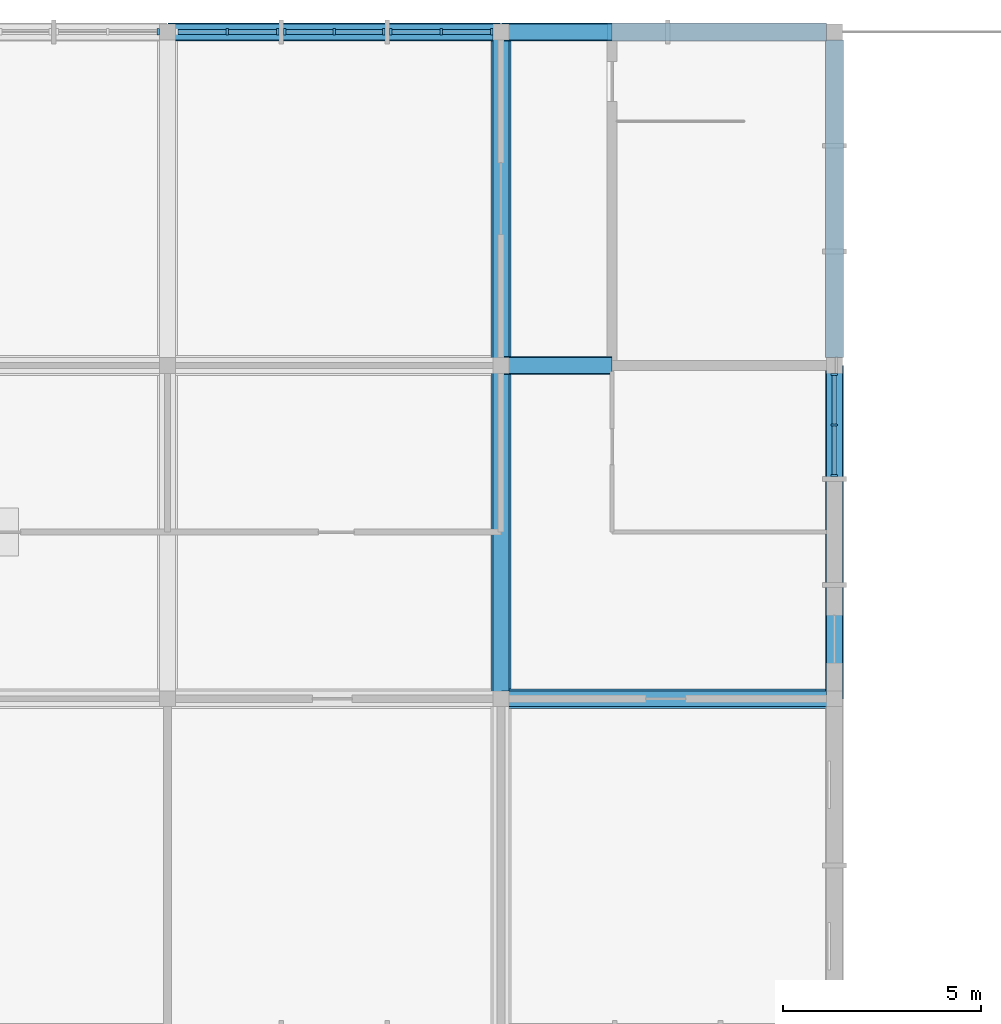
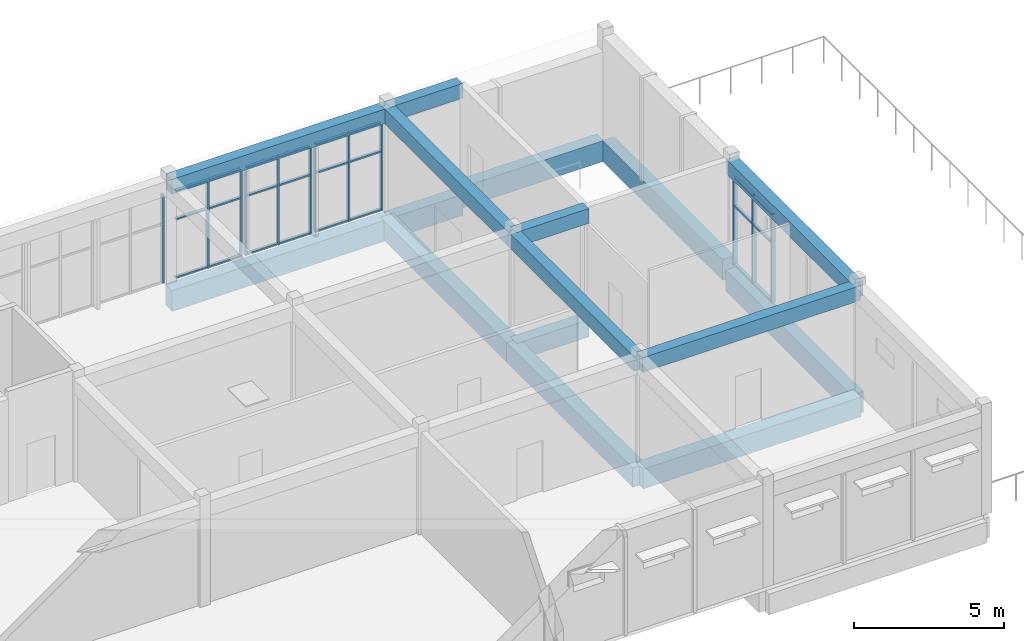
# One storey, part 7 of 15: 36 members, 16 beams, 5 elements without a shape of their own.
"""IFC4 building model written with IfcOpenShell, lengths in metres."""

from ifc_helpers import new_model, si_unit, direction, frame, origin, origin_2d, place, context, subcontext, project, spatial, rectangle, extrude, material, material_profile, profile_set, type_object, element, aggregate, save


model = new_model("IFC4")

# Units and contexts
model_context = context("Model", 3, precision=1e-05, world=origin(), true_north=direction((0.0, 1.0)))
body_context = subcontext(model_context, "Body", "Model", "MODEL_VIEW")
ifc_project = project(units=[si_unit("LENGTHUNIT", "METRE"), si_unit("AREAUNIT", "SQUARE_METRE"), si_unit("VOLUMEUNIT", "CUBIC_METRE"), si_unit("PLANEANGLEUNIT", "RADIAN"), si_unit("MASSUNIT", "GRAM", prefix="KILO")], contexts=[model_context])

# Site, building, storey
site_placement = place(None, origin())
site = spatial("IfcSite", under=ifc_project, at=site_placement, CompositionType="ELEMENT")
building_placement = place(site_placement, origin())
building = spatial("IfcBuilding", under=site, at=building_placement, Name="Fescue Hill Polytechnic", CompositionType="ELEMENT")
storey_placement = place(building_placement, frame((0.0, 0.0, 31.5)))
storey = spatial("IfcBuildingStorey", under=building, at=storey_placement, Name="L07", CompositionType="ELEMENT", Elevation=31.5)

# Beams
ifc_material_1 = material(Name="Concrete 35 MPa", Category="concrete")
ifc_material_profile_1 = material_profile(ifc_material_1, rectangle(XDim=0.39990234375, YDim=0.60009765625, at=origin_2d()), Name="RC 400x600")
ifc_profile_set_1 = profile_set([ifc_material_profile_1], Name="Concrete 35 MPa")
beam_type_1 = type_object("IfcBeamType", Name="Beam RC 400x600", PredefinedType="BEAM", material=ifc_profile_set_1)
beam_1_placement = place(storey_placement, frame((25.2099609375, 134.39990234375, 3.89990234375), z_axis=(1.0, 0.0, 0.0), x_axis=(0.0, 1.0, 0.0)))
element("IfcBeam", 1, at=beam_1_placement, inside=storey, type_object=beam_type_1, Name="BR-L07-0060", PredefinedType="BEAM", context=body_context, shape_type="SweptSolid", body=[
    extrude(rectangle(XDim=0.39990234375, YDim=0.60009765625, at=origin_2d()), origin(), (0.0, 0.0, 1.0), 8.380126953125),
])
for number, where, z_axis, x_axis, name in (
    (2, (33.60009765625, 117.60009765625, 3.89990234375), (0.0, 1.0, 0.0), (-1.0, 0.0, 0.0), "BR-L07-0062"),
    (3, (33.60009765625, 126.0, 3.89990234375), (0.0, 1.0, 0.0), (-1.0, 0.0, 0.0), "BR-L07-0063"),
):
    element("IfcBeam", number, at=place(storey_placement, frame(where, z_axis=z_axis, x_axis=x_axis)), inside=storey, type_object=beam_type_1, Name=name, PredefinedType="BEAM", context=body_context, shape_type="SweptSolid", body=[
        extrude(rectangle(XDim=0.39990234375, YDim=0.60009765625, at=origin_2d()), origin(), (0.0, 0.0, 1.0), 8.39990234375),
    ])
beam_2_placement = place(storey_placement, frame((33.610107421875, 117.60009765625, 3.89990234375), z_axis=(1.0, 0.0, 0.0), x_axis=(0.0, 1.0, 0.0)))
element("IfcBeam", 4, at=beam_2_placement, inside=storey, type_object=beam_type_1, Name="BR-L07-0065", PredefinedType="BEAM", context=body_context, shape_type="SweptSolid", body=[
    extrude(rectangle(XDim=0.39990234375, YDim=0.60009765625, at=origin_2d()), origin(), (0.0, 0.0, 1.0), 8.3798828125),
])
for number, where, z_axis, x_axis, name in (
    (5, (33.610107421875, 126.0, 3.89990234375), (1.0, 0.0, 0.0), (0.0, 1.0, 0.0), "BR-L07-0066"),
    (6, (33.610107421875, 134.39990234375, 3.89990234375), (1.0, 0.0, 0.0), (0.0, 1.0, 0.0), "BR-L07-0067"),
):
    element("IfcBeam", number, at=place(storey_placement, frame(where, z_axis=z_axis, x_axis=x_axis)), inside=storey, type_object=beam_type_1, Name=name, PredefinedType="BEAM", context=body_context, shape_type="SweptSolid", body=[
        extrude(rectangle(XDim=0.39990234375, YDim=0.60009765625, at=origin_2d()), origin(), (0.0, 0.0, 1.0), 2.789794921875),
    ])
beam_3_placement = place(storey_placement, frame((42.0, 117.60009765625, 3.89990234375), z_axis=(0.0, 1.0, 0.0), x_axis=(-1.0, 0.0, 0.0)))
element("IfcBeam", 7, at=beam_3_placement, inside=storey, type_object=beam_type_1, Name="BR-L07-0069", PredefinedType="BEAM", context=body_context, shape_type="SweptSolid", body=[
    extrude(rectangle(XDim=0.39990234375, YDim=0.60009765625, at=origin_2d()), origin(), (0.0, 0.0, 1.0), 8.39990234375),
])
ifc_material_profile_2 = material_profile(ifc_material_1, rectangle(XDim=0.449951171875, YDim=0.699951171875, at=origin_2d()), Name="RC 450x700")
ifc_profile_set_2 = profile_set([ifc_material_profile_2], Name="Concrete 35 MPa")
beam_type_2 = type_object("IfcBeamType", Name="Beam RC 450x700", PredefinedType="BEAM", material=ifc_profile_set_2)
beam_4_placement = place(storey_placement, frame((33.610107421875, 126.0, -0.64990234375), z_axis=(1.0, 0.0, 0.0), x_axis=(0.0, 1.0, 0.0)))
element("IfcBeam", 8, at=beam_4_placement, inside=storey, type_object=beam_type_2, Name="BM-L07-0066", PredefinedType="BEAM", context=body_context, shape_type="SweptSolid", body=[
    extrude(rectangle(XDim=0.449951171875, YDim=0.699951171875, at=origin_2d()), origin(), (0.0, 0.0, 1.0), 2.789794921875),
])
ifc_material_profile_3 = material_profile(ifc_material_1, rectangle(XDim=0.449951171875, YDim=0.85009765625, at=origin_2d()), Name="RC 450x850")
ifc_profile_set_3 = profile_set([ifc_material_profile_3], Name="Concrete 35 MPa")
beam_type_3 = type_object("IfcBeamType", Name="Beam RC 450x850", PredefinedType="BEAM", material=ifc_profile_set_3)
beam_5_placement = place(storey_placement, frame((25.2099609375, 134.39990234375, -0.72509765625), z_axis=(1.0, 0.0, 0.0), x_axis=(0.0, 1.0, 0.0)))
element("IfcBeam", 9, at=beam_5_placement, inside=storey, type_object=beam_type_3, Name="BM-L07-0060", PredefinedType="BEAM", context=body_context, shape_type="SweptSolid", body=[
    extrude(rectangle(XDim=0.449951171875, YDim=0.85009765625, at=origin_2d()), origin(), (0.0, 0.0, 1.0), 8.380126953125),
])
beam_6_placement = place(storey_placement, frame((33.610107421875, 134.39990234375, -0.72509765625), z_axis=(1.0, 0.0, 0.0), x_axis=(0.0, 1.0, 0.0)))
element("IfcBeam", 10, at=beam_6_placement, inside=storey, type_object=beam_type_3, Name="BM-L07-0067", PredefinedType="BEAM", context=body_context, shape_type="SweptSolid", body=[
    extrude(rectangle(XDim=0.449951171875, YDim=0.85009765625, at=origin_2d()), origin(), (0.0, 0.0, 1.0), 2.789794921875),
])
beam_7_placement = place(storey_placement, frame((42.0, 117.60009765625, -0.72509765625), z_axis=(0.0, 1.0, 0.0), x_axis=(-1.0, 0.0, 0.0)))
element("IfcBeam", 11, at=beam_7_placement, inside=storey, type_object=beam_type_3, Name="BM-L07-0069", PredefinedType="BEAM", context=body_context, shape_type="SweptSolid", body=[
    extrude(rectangle(XDim=0.449951171875, YDim=0.85009765625, at=origin_2d()), origin(), (0.0, 0.0, 1.0), 8.39990234375),
])
beam_8_placement = place(storey_placement, frame((36.27490234375, 134.39990234375, -0.425048828125), z_axis=(1.0, 0.0, 0.0), x_axis=(0.0, 1.0, 0.0)))
element("IfcBeam", 12, at=beam_8_placement, inside=storey, type_object=beam_type_3, Name="BM-L07-0075", PredefinedType="BEAM", context=body_context, shape_type="SweptSolid", body=[
    extrude(rectangle(XDim=0.449951171875, YDim=0.85009765625, at=origin_2d()), origin(), (0.0, 0.0, 1.0), 5.525146484375),
])
beam_9_placement = place(storey_placement, frame((42.0, 126.199951171875, -0.425048828125), z_axis=(0.0, 1.0, 0.0), x_axis=(-1.0, 0.0, 0.0)))
element("IfcBeam", 13, at=beam_9_placement, inside=storey, type_object=beam_type_3, Name="BM-L07-0076", PredefinedType="BEAM", context=body_context, shape_type="SweptSolid", body=[
    extrude(rectangle(XDim=0.449951171875, YDim=0.85009765625, at=origin_2d()), origin(), (0.0, 0.0, 1.0), 8.0),
])
ifc_material_profile_4 = material_profile(ifc_material_1, rectangle(XDim=0.5, YDim=0.800048828125, at=origin_2d()), Name="RC 500x800")
ifc_profile_set_4 = profile_set([ifc_material_profile_4], Name="Concrete 35 MPa")
beam_type_4 = type_object("IfcBeamType", Name="Beam RC 500x800", PredefinedType="BEAM", material=ifc_profile_set_4)
for number, where, z_axis, x_axis, name in (
    (14, (33.60009765625, 117.60009765625, -0.699951171875), (0.0, 1.0, 0.0), (-1.0, 0.0, 0.0), "BM-L07-0062"),
    (15, (33.60009765625, 126.0, -0.699951171875), (0.0, 1.0, 0.0), (-1.0, 0.0, 0.0), "BM-L07-0063"),
):
    element("IfcBeam", number, at=place(storey_placement, frame(where, z_axis=z_axis, x_axis=x_axis)), inside=storey, type_object=beam_type_4, Name=name, PredefinedType="BEAM", context=body_context, shape_type="SweptSolid", body=[
        extrude(rectangle(XDim=0.5, YDim=0.800048828125, at=origin_2d()), origin(), (0.0, 0.0, 1.0), 8.39990234375),
    ])
beam_10_placement = place(storey_placement, frame((33.610107421875, 117.60009765625, -0.699951171875), z_axis=(1.0, 0.0, 0.0), x_axis=(0.0, 1.0, 0.0)))
element("IfcBeam", 16, at=beam_10_placement, inside=storey, type_object=beam_type_4, Name="BM-L07-0065", PredefinedType="BEAM", context=body_context, shape_type="SweptSolid", body=[
    extrude(rectangle(XDim=0.5, YDim=0.800048828125, at=origin_2d()), origin(), (0.0, 0.0, 1.0), 8.3798828125),
])

# Curtain wall, members
ifc_material_2 = material(Name="Glass", Category="glass")
curtain_wall_type = type_object("IfcCurtainWallType", Name="Curtain wall structural glazing", PredefinedType="NOTDEFINED", material=ifc_material_2)
curtain_wall_1_placement = place(storey_placement, origin())
curtain_wall_1 = element("IfcCurtainWall", 17, at=curtain_wall_1_placement, inside=storey, type_object=curtain_wall_type, Name="CW-L07-V5-1", PredefinedType="NOTDEFINED")
ifc_material_3 = material(Name="Powder-coated aluminium", Category="aluminium")
ifc_material_profile_5 = material_profile(ifc_material_3, rectangle(XDim=0.159912109375, YDim=0.06005859375, at=origin_2d()), Name="Mullion aluminium 60x160")
ifc_profile_set_5 = profile_set([ifc_material_profile_5], Name="Powder-coated aluminium")
member_type_1 = type_object("IfcMemberType", Name="Mullion aluminium 60x160", PredefinedType="MULLION", material=ifc_profile_set_5)
member_1_placement = place(storey_placement, frame((33.3701171875, 134.39990234375, 0.0), z_axis=(0.0, 0.0, 1.0), x_axis=(0.0, -1.0, 0.0)))
member_1 = element("IfcMember", 18, at=member_1_placement, type_object=member_type_1, Name="CW106 mullion 1", PredefinedType="MULLION", context=body_context, shape_type="SweptSolid", body=[
    extrude(rectangle(XDim=0.159912109375, YDim=0.06005859375, at=origin_2d()), origin(), (0.0, 0.0, 1.0), 3.580078125),
])
member_2_placement = place(storey_placement, frame((32.0966796875, 134.39990234375, 0.0), z_axis=(0.0, 0.0, 1.0), x_axis=(0.0, -1.0, 0.0)))
member_2 = element("IfcMember", 19, at=member_2_placement, type_object=member_type_1, Name="CW106 mullion 2", PredefinedType="MULLION", context=body_context, shape_type="SweptSolid", body=[
    extrude(rectangle(XDim=0.159912109375, YDim=0.06005859375, at=origin_2d()), origin(), (0.0, 0.0, 1.0), 3.580078125),
])
member_3_placement = place(storey_placement, frame((30.8232421875, 134.39990234375, 0.0), z_axis=(0.0, 0.0, 1.0), x_axis=(0.0, -1.0, 0.0)))
member_3 = element("IfcMember", 20, at=member_3_placement, type_object=member_type_1, Name="CW106 mullion 3", PredefinedType="MULLION", context=body_context, shape_type="SweptSolid", body=[
    extrude(rectangle(XDim=0.159912109375, YDim=0.06005859375, at=origin_2d()), origin(), (0.0, 0.0, 1.0), 3.580078125),
])

curtain_wall_2_placement = place(storey_placement, origin())
curtain_wall_2 = element("IfcCurtainWall", 21, at=curtain_wall_2_placement, inside=storey, type_object=curtain_wall_type, Name="CW-L07-V5-2", PredefinedType="NOTDEFINED")
member_4_placement = place(storey_placement, frame((30.643310546875, 134.39990234375, 0.0), z_axis=(0.0, 0.0, 1.0), x_axis=(0.0, -1.0, 0.0)))
member_4 = element("IfcMember", 22, at=member_4_placement, type_object=member_type_1, Name="CW107 mullion 1", PredefinedType="MULLION", context=body_context, shape_type="SweptSolid", body=[
    extrude(rectangle(XDim=0.159912109375, YDim=0.06005859375, at=origin_2d()), origin(), (0.0, 0.0, 1.0), 3.580078125),
])
member_5_placement = place(storey_placement, frame((29.39990234375, 134.39990234375, 0.0), z_axis=(0.0, 0.0, 1.0), x_axis=(0.0, -1.0, 0.0)))
member_5 = element("IfcMember", 23, at=member_5_placement, type_object=member_type_1, Name="CW107 mullion 2", PredefinedType="MULLION", context=body_context, shape_type="SweptSolid", body=[
    extrude(rectangle(XDim=0.159912109375, YDim=0.06005859375, at=origin_2d()), origin(), (0.0, 0.0, 1.0), 3.580078125),
])
member_6_placement = place(storey_placement, frame((28.15673828125, 134.39990234375, 0.0), z_axis=(0.0, 0.0, 1.0), x_axis=(0.0, -1.0, 0.0)))
member_6 = element("IfcMember", 24, at=member_6_placement, type_object=member_type_1, Name="CW107 mullion 3", PredefinedType="MULLION", context=body_context, shape_type="SweptSolid", body=[
    extrude(rectangle(XDim=0.159912109375, YDim=0.06005859375, at=origin_2d()), origin(), (0.0, 0.0, 1.0), 3.580078125),
])

curtain_wall_3_placement = place(storey_placement, origin())
curtain_wall_3 = element("IfcCurtainWall", 25, at=curtain_wall_3_placement, inside=storey, type_object=curtain_wall_type, Name="CW-L07-V5-3", PredefinedType="NOTDEFINED")
member_7_placement = place(storey_placement, frame((27.976806640625, 134.39990234375, 0.0), z_axis=(0.0, 0.0, 1.0), x_axis=(0.0, -1.0, 0.0)))
member_7 = element("IfcMember", 26, at=member_7_placement, type_object=member_type_1, Name="CW108 mullion 1", PredefinedType="MULLION", context=body_context, shape_type="SweptSolid", body=[
    extrude(rectangle(XDim=0.159912109375, YDim=0.06005859375, at=origin_2d()), origin(), (0.0, 0.0, 1.0), 3.580078125),
])
member_8_placement = place(storey_placement, frame((26.703369140625, 134.39990234375, 0.0), z_axis=(0.0, 0.0, 1.0), x_axis=(0.0, -1.0, 0.0)))
member_8 = element("IfcMember", 27, at=member_8_placement, type_object=member_type_1, Name="CW108 mullion 2", PredefinedType="MULLION", context=body_context, shape_type="SweptSolid", body=[
    extrude(rectangle(XDim=0.159912109375, YDim=0.06005859375, at=origin_2d()), origin(), (0.0, 0.0, 1.0), 3.580078125),
])

# Curtain wall, member
curtain_wall_4_placement = place(storey_placement, origin())
curtain_wall_4 = element("IfcCurtainWall", 28, at=curtain_wall_4_placement, inside=storey, type_object=curtain_wall_type, Name="CW-L07-V5-4", PredefinedType="NOTDEFINED")
member_9_placement = place(storey_placement, frame((24.969970703125, 134.39990234375, 0.0), z_axis=(0.0, 0.0, 1.0), x_axis=(0.0, -1.0, 0.0)))
member_9 = element("IfcMember", 29, at=member_9_placement, type_object=member_type_1, Name="CW109 mullion 1", PredefinedType="MULLION", context=body_context, shape_type="SweptSolid", body=[
    extrude(rectangle(XDim=0.159912109375, YDim=0.06005859375, at=origin_2d()), origin(), (0.0, 0.0, 1.0), 3.580078125),
])
aggregate(curtain_wall_4, [member_9])

# Curtain wall, members
curtain_wall_5_placement = place(storey_placement, origin())
curtain_wall_5 = element("IfcCurtainWall", 30, at=curtain_wall_5_placement, inside=storey, type_object=curtain_wall_type, Name="CW-L07-V5-X2", PredefinedType="NOTDEFINED")
member_10_placement = place(storey_placement, frame((42.0, 123.223388671875, 0.0), z_axis=(0.0, 0.0, 1.0), x_axis=(-1.0, 0.0, 0.0)))
member_10 = element("IfcMember", 31, at=member_10_placement, type_object=member_type_1, Name="CW156 mullion 1", PredefinedType="MULLION", context=body_context, shape_type="SweptSolid", body=[
    extrude(rectangle(XDim=0.159912109375, YDim=0.06005859375, at=origin_2d()), origin(), (0.0, 0.0, 1.0), 3.580078125),
])
member_11_placement = place(storey_placement, frame((42.0, 124.49658203125, 0.0), z_axis=(0.0, 0.0, 1.0), x_axis=(-1.0, 0.0, 0.0)))
member_11 = element("IfcMember", 32, at=member_11_placement, type_object=member_type_1, Name="CW156 mullion 2", PredefinedType="MULLION", context=body_context, shape_type="SweptSolid", body=[
    extrude(rectangle(XDim=0.159912109375, YDim=0.06005859375, at=origin_2d()), origin(), (0.0, 0.0, 1.0), 3.580078125),
])
member_12_placement = place(storey_placement, frame((42.0, 125.77001953125, 0.0), z_axis=(0.0, 0.0, 1.0), x_axis=(-1.0, 0.0, 0.0)))
member_12 = element("IfcMember", 33, at=member_12_placement, type_object=member_type_1, Name="CW156 mullion 3", PredefinedType="MULLION", context=body_context, shape_type="SweptSolid", body=[
    extrude(rectangle(XDim=0.159912109375, YDim=0.06005859375, at=origin_2d()), origin(), (0.0, 0.0, 1.0), 3.580078125),
])

# Member
ifc_material_profile_6 = material_profile(ifc_material_3, rectangle(XDim=0.1201171875, YDim=0.06005859375, at=origin_2d()), Name="Transom aluminium 60x120")
ifc_profile_set_6 = profile_set([ifc_material_profile_6], Name="Powder-coated aluminium")
member_type_2 = type_object("IfcMemberType", Name="Transom aluminium 60x120", PredefinedType="USERDEFINED", material=ifc_profile_set_6)
member_13_placement = place(storey_placement, frame((33.340087890625, 134.39990234375, 0.030029296875), z_axis=(-1.0, 0.0, 0.0), x_axis=(0.0, -1.0, 0.0)))
member_13 = element("IfcMember", 34, at=member_13_placement, type_object=member_type_2, Name="CW106 transom 1.1", ObjectType="TRANSOM", PredefinedType="USERDEFINED", context=body_context, shape_type="SweptSolid", body=[
    extrude(rectangle(XDim=0.1201171875, YDim=0.06005859375, at=origin_2d()), origin(), (0.0, 0.0, 1.0), 1.21337890625),
])

member_14_placement = place(storey_placement, frame((33.340087890625, 134.39990234375, 2.39990234375), z_axis=(-1.0, 0.0, 0.0), x_axis=(0.0, -1.0, 0.0)))
member_14 = element("IfcMember", 35, at=member_14_placement, type_object=member_type_2, Name="CW106 transom 1.2", ObjectType="TRANSOM", PredefinedType="USERDEFINED", context=body_context, shape_type="SweptSolid", body=[
    extrude(rectangle(XDim=0.1201171875, YDim=0.06005859375, at=origin_2d()), origin(), (0.0, 0.0, 1.0), 1.21337890625),
])

member_15_placement = place(storey_placement, frame((33.340087890625, 134.39990234375, 3.550048828125), z_axis=(-1.0, 0.0, 0.0), x_axis=(0.0, -1.0, 0.0)))
member_15 = element("IfcMember", 36, at=member_15_placement, type_object=member_type_2, Name="CW106 transom 1.3", ObjectType="TRANSOM", PredefinedType="USERDEFINED", context=body_context, shape_type="SweptSolid", body=[
    extrude(rectangle(XDim=0.1201171875, YDim=0.06005859375, at=origin_2d()), origin(), (0.0, 0.0, 1.0), 1.21337890625),
])

member_16_placement = place(storey_placement, frame((32.066650390625, 134.39990234375, 0.030029296875), z_axis=(-1.0, 0.0, 0.0), x_axis=(0.0, -1.0, 0.0)))
member_16 = element("IfcMember", 37, at=member_16_placement, type_object=member_type_2, Name="CW106 transom 2.1", ObjectType="TRANSOM", PredefinedType="USERDEFINED", context=body_context, shape_type="SweptSolid", body=[
    extrude(rectangle(XDim=0.1201171875, YDim=0.06005859375, at=origin_2d()), origin(), (0.0, 0.0, 1.0), 1.21337890625),
])

member_17_placement = place(storey_placement, frame((32.066650390625, 134.39990234375, 2.39990234375), z_axis=(-1.0, 0.0, 0.0), x_axis=(0.0, -1.0, 0.0)))
member_17 = element("IfcMember", 38, at=member_17_placement, type_object=member_type_2, Name="CW106 transom 2.2", ObjectType="TRANSOM", PredefinedType="USERDEFINED", context=body_context, shape_type="SweptSolid", body=[
    extrude(rectangle(XDim=0.1201171875, YDim=0.06005859375, at=origin_2d()), origin(), (0.0, 0.0, 1.0), 1.21337890625),
])

member_18_placement = place(storey_placement, frame((32.066650390625, 134.39990234375, 3.550048828125), z_axis=(-1.0, 0.0, 0.0), x_axis=(0.0, -1.0, 0.0)))
member_18 = element("IfcMember", 39, at=member_18_placement, type_object=member_type_2, Name="CW106 transom 2.3", ObjectType="TRANSOM", PredefinedType="USERDEFINED", context=body_context, shape_type="SweptSolid", body=[
    extrude(rectangle(XDim=0.1201171875, YDim=0.06005859375, at=origin_2d()), origin(), (0.0, 0.0, 1.0), 1.21337890625),
])

aggregate(curtain_wall_1, [member_1, member_2, member_3, member_13, member_14, member_15, member_16, member_17, member_18])

member_19_placement = place(storey_placement, frame((30.61328125, 134.39990234375, 0.030029296875), z_axis=(-1.0, 0.0, 0.0), x_axis=(0.0, -1.0, 0.0)))
member_19 = element("IfcMember", 40, at=member_19_placement, type_object=member_type_2, Name="CW107 transom 1.1", ObjectType="TRANSOM", PredefinedType="USERDEFINED", context=body_context, shape_type="SweptSolid", body=[
    extrude(rectangle(XDim=0.1201171875, YDim=0.06005859375, at=origin_2d()), origin(), (0.0, 0.0, 1.0), 1.183349609375),
])

member_20_placement = place(storey_placement, frame((30.61328125, 134.39990234375, 2.39990234375), z_axis=(-1.0, 0.0, 0.0), x_axis=(0.0, -1.0, 0.0)))
member_20 = element("IfcMember", 41, at=member_20_placement, type_object=member_type_2, Name="CW107 transom 1.2", ObjectType="TRANSOM", PredefinedType="USERDEFINED", context=body_context, shape_type="SweptSolid", body=[
    extrude(rectangle(XDim=0.1201171875, YDim=0.06005859375, at=origin_2d()), origin(), (0.0, 0.0, 1.0), 1.183349609375),
])

member_21_placement = place(storey_placement, frame((30.61328125, 134.39990234375, 3.550048828125), z_axis=(-1.0, 0.0, 0.0), x_axis=(0.0, -1.0, 0.0)))
member_21 = element("IfcMember", 42, at=member_21_placement, type_object=member_type_2, Name="CW107 transom 1.3", ObjectType="TRANSOM", PredefinedType="USERDEFINED", context=body_context, shape_type="SweptSolid", body=[
    extrude(rectangle(XDim=0.1201171875, YDim=0.06005859375, at=origin_2d()), origin(), (0.0, 0.0, 1.0), 1.183349609375),
])

member_22_placement = place(storey_placement, frame((29.3701171875, 134.39990234375, 0.030029296875), z_axis=(-1.0, 0.0, 0.0), x_axis=(0.0, -1.0, 0.0)))
member_22 = element("IfcMember", 43, at=member_22_placement, type_object=member_type_2, Name="CW107 transom 2.1", ObjectType="TRANSOM", PredefinedType="USERDEFINED", context=body_context, shape_type="SweptSolid", body=[
    extrude(rectangle(XDim=0.1201171875, YDim=0.06005859375, at=origin_2d()), origin(), (0.0, 0.0, 1.0), 1.183349609375),
])

member_23_placement = place(storey_placement, frame((29.3701171875, 134.39990234375, 2.39990234375), z_axis=(-1.0, 0.0, 0.0), x_axis=(0.0, -1.0, 0.0)))
member_23 = element("IfcMember", 44, at=member_23_placement, type_object=member_type_2, Name="CW107 transom 2.2", ObjectType="TRANSOM", PredefinedType="USERDEFINED", context=body_context, shape_type="SweptSolid", body=[
    extrude(rectangle(XDim=0.1201171875, YDim=0.06005859375, at=origin_2d()), origin(), (0.0, 0.0, 1.0), 1.183349609375),
])

member_24_placement = place(storey_placement, frame((29.3701171875, 134.39990234375, 3.550048828125), z_axis=(-1.0, 0.0, 0.0), x_axis=(0.0, -1.0, 0.0)))
member_24 = element("IfcMember", 45, at=member_24_placement, type_object=member_type_2, Name="CW107 transom 2.3", ObjectType="TRANSOM", PredefinedType="USERDEFINED", context=body_context, shape_type="SweptSolid", body=[
    extrude(rectangle(XDim=0.1201171875, YDim=0.06005859375, at=origin_2d()), origin(), (0.0, 0.0, 1.0), 1.183349609375),
])

aggregate(curtain_wall_2, [member_4, member_5, member_6, member_19, member_20, member_21, member_22, member_23, member_24])

member_25_placement = place(storey_placement, frame((27.94677734375, 134.39990234375, 0.030029296875), z_axis=(-1.0, 0.0, 0.0), x_axis=(0.0, -1.0, 0.0)))
member_25 = element("IfcMember", 46, at=member_25_placement, type_object=member_type_2, Name="CW108 transom 1.1", ObjectType="TRANSOM", PredefinedType="USERDEFINED", context=body_context, shape_type="SweptSolid", body=[
    extrude(rectangle(XDim=0.1201171875, YDim=0.06005859375, at=origin_2d()), origin(), (0.0, 0.0, 1.0), 1.21337890625),
])

member_26_placement = place(storey_placement, frame((27.94677734375, 134.39990234375, 2.39990234375), z_axis=(-1.0, 0.0, 0.0), x_axis=(0.0, -1.0, 0.0)))
member_26 = element("IfcMember", 47, at=member_26_placement, type_object=member_type_2, Name="CW108 transom 1.2", ObjectType="TRANSOM", PredefinedType="USERDEFINED", context=body_context, shape_type="SweptSolid", body=[
    extrude(rectangle(XDim=0.1201171875, YDim=0.06005859375, at=origin_2d()), origin(), (0.0, 0.0, 1.0), 1.21337890625),
])

member_27_placement = place(storey_placement, frame((27.94677734375, 134.39990234375, 3.550048828125), z_axis=(-1.0, 0.0, 0.0), x_axis=(0.0, -1.0, 0.0)))
member_27 = element("IfcMember", 48, at=member_27_placement, type_object=member_type_2, Name="CW108 transom 1.3", ObjectType="TRANSOM", PredefinedType="USERDEFINED", context=body_context, shape_type="SweptSolid", body=[
    extrude(rectangle(XDim=0.1201171875, YDim=0.06005859375, at=origin_2d()), origin(), (0.0, 0.0, 1.0), 1.21337890625),
])

member_28_placement = place(storey_placement, frame((26.67333984375, 134.39990234375, 0.030029296875), z_axis=(-1.0, 0.0, 0.0), x_axis=(0.0, -1.0, 0.0)))
member_28 = element("IfcMember", 49, at=member_28_placement, type_object=member_type_2, Name="CW108 transom 2.1", ObjectType="TRANSOM", PredefinedType="USERDEFINED", context=body_context, shape_type="SweptSolid", body=[
    extrude(rectangle(XDim=0.1201171875, YDim=0.06005859375, at=origin_2d()), origin(), (0.0, 0.0, 1.0), 1.21337890625),
])

member_29_placement = place(storey_placement, frame((26.67333984375, 134.39990234375, 2.39990234375), z_axis=(-1.0, 0.0, 0.0), x_axis=(0.0, -1.0, 0.0)))
member_29 = element("IfcMember", 50, at=member_29_placement, type_object=member_type_2, Name="CW108 transom 2.2", ObjectType="TRANSOM", PredefinedType="USERDEFINED", context=body_context, shape_type="SweptSolid", body=[
    extrude(rectangle(XDim=0.1201171875, YDim=0.06005859375, at=origin_2d()), origin(), (0.0, 0.0, 1.0), 1.21337890625),
])

member_30_placement = place(storey_placement, frame((26.67333984375, 134.39990234375, 3.550048828125), z_axis=(-1.0, 0.0, 0.0), x_axis=(0.0, -1.0, 0.0)))
member_30 = element("IfcMember", 51, at=member_30_placement, type_object=member_type_2, Name="CW108 transom 2.3", ObjectType="TRANSOM", PredefinedType="USERDEFINED", context=body_context, shape_type="SweptSolid", body=[
    extrude(rectangle(XDim=0.1201171875, YDim=0.06005859375, at=origin_2d()), origin(), (0.0, 0.0, 1.0), 1.21337890625),
])

aggregate(curtain_wall_3, [member_7, member_8, member_25, member_26, member_27, member_28, member_29, member_30])

member_31_placement = place(storey_placement, frame((42.0, 123.25341796875, 0.030029296875), z_axis=(0.0, 1.0, 0.0), x_axis=(-1.0, 0.0, 0.0)))
member_31 = element("IfcMember", 52, at=member_31_placement, type_object=member_type_2, Name="CW156 transom 1.1", ObjectType="TRANSOM", PredefinedType="USERDEFINED", context=body_context, shape_type="SweptSolid", body=[
    extrude(rectangle(XDim=0.1201171875, YDim=0.06005859375, at=origin_2d()), origin(), (0.0, 0.0, 1.0), 1.213134765625),
])

member_32_placement = place(storey_placement, frame((42.0, 123.25341796875, 2.39990234375), z_axis=(0.0, 1.0, 0.0), x_axis=(-1.0, 0.0, 0.0)))
member_32 = element("IfcMember", 53, at=member_32_placement, type_object=member_type_2, Name="CW156 transom 1.2", ObjectType="TRANSOM", PredefinedType="USERDEFINED", context=body_context, shape_type="SweptSolid", body=[
    extrude(rectangle(XDim=0.1201171875, YDim=0.06005859375, at=origin_2d()), origin(), (0.0, 0.0, 1.0), 1.213134765625),
])

member_33_placement = place(storey_placement, frame((42.0, 123.25341796875, 3.550048828125), z_axis=(0.0, 1.0, 0.0), x_axis=(-1.0, 0.0, 0.0)))
member_33 = element("IfcMember", 54, at=member_33_placement, type_object=member_type_2, Name="CW156 transom 1.3", ObjectType="TRANSOM", PredefinedType="USERDEFINED", context=body_context, shape_type="SweptSolid", body=[
    extrude(rectangle(XDim=0.1201171875, YDim=0.06005859375, at=origin_2d()), origin(), (0.0, 0.0, 1.0), 1.213134765625),
])

member_34_placement = place(storey_placement, frame((42.0, 124.526611328125, 0.030029296875), z_axis=(0.0, 1.0, 0.0), x_axis=(-1.0, 0.0, 0.0)))
member_34 = element("IfcMember", 55, at=member_34_placement, type_object=member_type_2, Name="CW156 transom 2.1", ObjectType="TRANSOM", PredefinedType="USERDEFINED", context=body_context, shape_type="SweptSolid", body=[
    extrude(rectangle(XDim=0.1201171875, YDim=0.06005859375, at=origin_2d()), origin(), (0.0, 0.0, 1.0), 1.21337890625),
])

member_35_placement = place(storey_placement, frame((42.0, 124.526611328125, 2.39990234375), z_axis=(0.0, 1.0, 0.0), x_axis=(-1.0, 0.0, 0.0)))
member_35 = element("IfcMember", 56, at=member_35_placement, type_object=member_type_2, Name="CW156 transom 2.2", ObjectType="TRANSOM", PredefinedType="USERDEFINED", context=body_context, shape_type="SweptSolid", body=[
    extrude(rectangle(XDim=0.1201171875, YDim=0.06005859375, at=origin_2d()), origin(), (0.0, 0.0, 1.0), 1.21337890625),
])

member_36_placement = place(storey_placement, frame((42.0, 124.526611328125, 3.550048828125), z_axis=(0.0, 1.0, 0.0), x_axis=(-1.0, 0.0, 0.0)))
member_36 = element("IfcMember", 57, at=member_36_placement, type_object=member_type_2, Name="CW156 transom 2.3", ObjectType="TRANSOM", PredefinedType="USERDEFINED", context=body_context, shape_type="SweptSolid", body=[
    extrude(rectangle(XDim=0.1201171875, YDim=0.06005859375, at=origin_2d()), origin(), (0.0, 0.0, 1.0), 1.21337890625),
])

aggregate(curtain_wall_5, [member_10, member_11, member_12, member_31, member_32, member_33, member_34, member_35, member_36])

save(model, "model.ifc")
